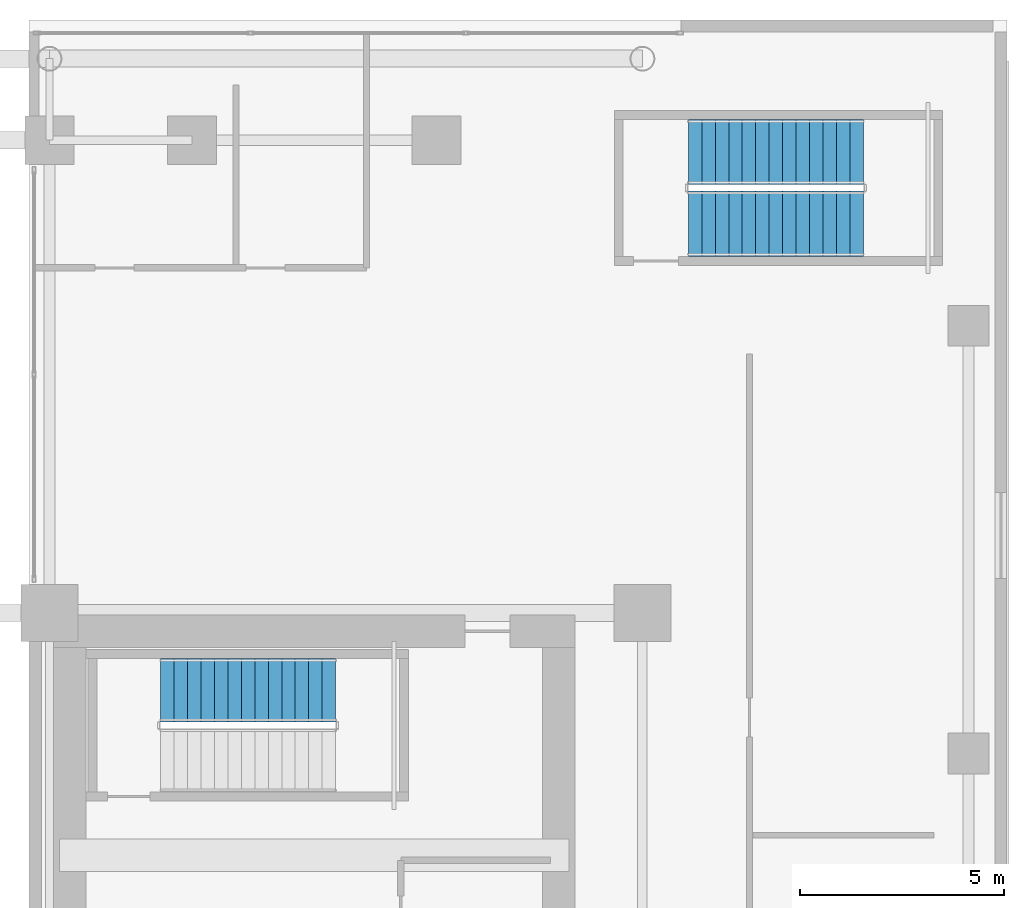
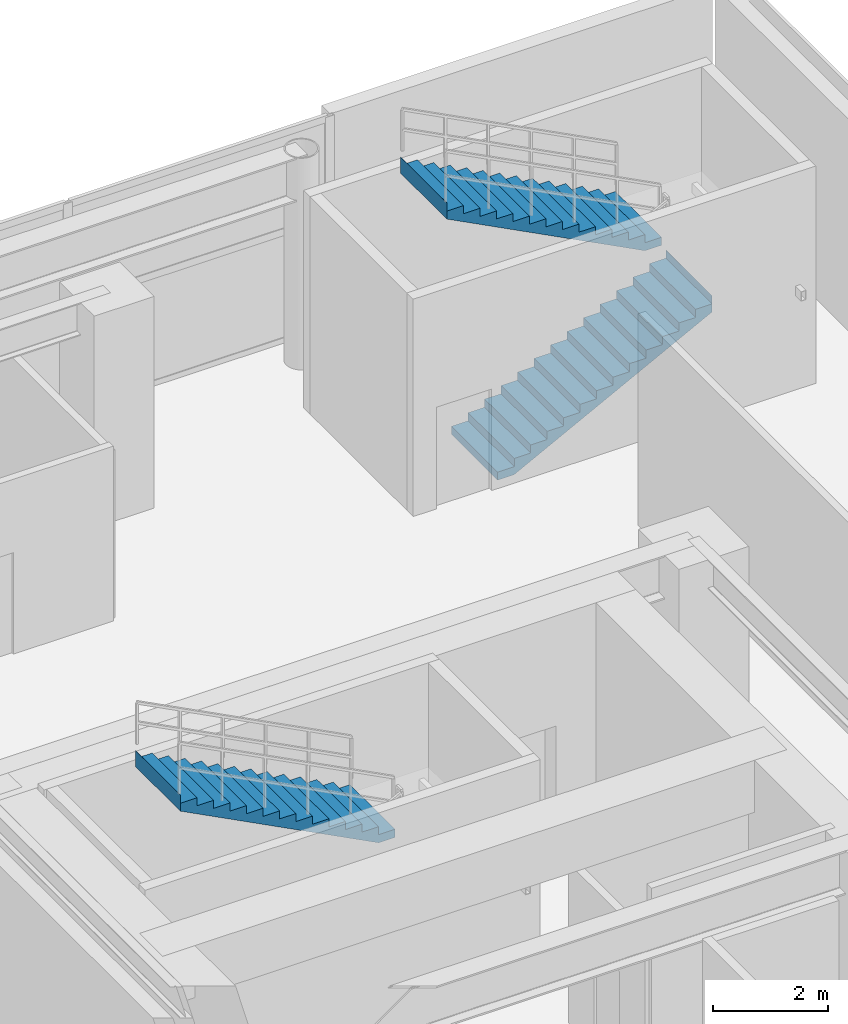
# One storey, part 25 of 30: 3 stair flights, 2 elements without a shape of their own.
"""IFC4 building model written with IfcOpenShell, lengths in metres."""

from ifc_helpers import new_model, si_unit, direction, frame, origin, place, context, subcontext, project, spatial, polyline, outline, extrude, source, transform, mapped, material, type_object, element, aggregate, save


model = new_model("IFC4")

# Units and contexts
model_context = context("Model", 3, precision=1e-05, world=origin(), true_north=direction((0.0, 1.0)))
body_context = subcontext(model_context, "Body", "Model", "MODEL_VIEW")
ifc_project = project(units=[si_unit("LENGTHUNIT", "METRE"), si_unit("AREAUNIT", "SQUARE_METRE"), si_unit("VOLUMEUNIT", "CUBIC_METRE"), si_unit("PLANEANGLEUNIT", "RADIAN"), si_unit("MASSUNIT", "GRAM", prefix="KILO")], contexts=[model_context])

# Site, building, storey
site_placement = place(None, origin())
site = spatial("IfcSite", under=ifc_project, at=site_placement, CompositionType="ELEMENT")
building_placement = place(site_placement, origin())
building = spatial("IfcBuilding", under=site, at=building_placement, Name="Ocotamira Hotel", CompositionType="ELEMENT")
storey_placement = place(building_placement, frame((0.0, 0.0, 19.199951171875)))
storey = spatial("IfcBuildingStorey", under=building, at=storey_placement, Name="L04", CompositionType="ELEMENT", Elevation=19.199951171875)

# Stair, stair flight
ifc_material = material(Name="Concrete C40/50", Category="concrete")
stair_type_1 = type_object("IfcStairType", Name="ST-CORE-1560", PredefinedType="HALF_TURN_STAIR", material=ifc_material)
stair_1_placement = place(storey_placement, origin())
stair_1 = element("IfcStair", 1, at=stair_1_placement, inside=storey, type_object=stair_type_1, Name="L04 Exit Stair ST-4", PredefinedType="HALF_TURN_STAIR")
stair_flight_type_1 = type_object("IfcStairFlightType", Name="STF-CORE-1560", PredefinedType="STRAIGHT", material=ifc_material)
shared_shape_1 = source(origin(), body_context, "Body", "SweptSolid", [
    extrude(outline(polyline([(-0.00390625, 0.0), (-0.00390625, 0.17138671875), (0.330078125, 0.17138671875), (0.330078125, 0.3427734375), (0.659912109375, 0.3427734375), (0.659912109375, 0.514404296875), (0.989990234375, 0.514404296875), (0.989990234375, 0.685791015625), (1.320068359375, 0.685791015625), (1.320068359375, 0.857177734375), (1.64990234375, 0.857177734375), (1.64990234375, 1.028564453125), (1.97998046875, 1.028564453125), (1.97998046875, 1.199951171875), (2.31005859375, 1.199951171875), (2.31005859375, 1.371337890625), (2.639892578125, 1.371337890625), (2.639892578125, 1.54296875), (2.969970703125, 1.54296875), (2.969970703125, 1.71435546875), (3.300048828125, 1.71435546875), (3.300048828125, 1.8857421875), (3.6298828125, 1.8857421875), (3.6298828125, 2.05712890625), (3.9599609375, 2.05712890625), (3.9599609375, 2.228515625), (4.2900390625, 2.228515625), (4.2900390625, 2.39990234375), (4.2939453125, 2.39990234375), (4.2939453125, 2.0595703125), (0.3251953125, 0.0), (-0.00390625, 0.0)])), frame((0.0, 0.780029296875, 0.0), z_axis=(0.0, -1.0, 0.0), x_axis=(1.0, 0.0, 0.0)), (0.0, 0.0, 1.0), 1.56005859375),
])
stair_flight_1_placement = place(storey_placement, frame((47.52001953125, 35.550048828125, 2.400146484375), z_axis=(0.0, 0.0, 1.0), x_axis=(-1.0, 0.0, 0.0)))
stair_flight_1 = element("IfcStairFlight", 2, at=stair_flight_1_placement, type_object=stair_flight_type_1, Name="ST-4 flight 2", NumberOfRisers=14, NumberOfTreads=13, PredefinedType="STRAIGHT", RiserHeight=0.171428571, TreadLength=0.33, context=body_context, shape_type="MappedRepresentation", body=[
    mapped(shared_shape_1, transform((0.0, 0.0, 0.0), scale=1.0)),
])
aggregate(stair_1, [stair_flight_1])

# Stair, stair flights
stair_type_2 = type_object("IfcStairType", Name="ST-POD-1600", PredefinedType="HALF_TURN_STAIR", material=ifc_material)
stair_2_placement = place(storey_placement, origin())
stair_2 = element("IfcStair", 3, at=stair_2_placement, inside=storey, type_object=stair_type_2, Name="L04 Exit Stair ST-6", PredefinedType="HALF_TURN_STAIR")
stair_flight_type_2 = type_object("IfcStairFlightType", Name="STF-POD-1600", PredefinedType="STRAIGHT", material=ifc_material)
shared_shape_2 = source(origin(), body_context, "Body", "SweptSolid", [
    extrude(outline(polyline([(-0.00390625, 0.0), (-0.00390625, 0.17138671875), (0.330078125, 0.17138671875), (0.330078125, 0.3427734375), (0.659912109375, 0.3427734375), (0.659912109375, 0.514404296875), (0.989990234375, 0.514404296875), (0.989990234375, 0.685791015625), (1.320068359375, 0.685791015625), (1.320068359375, 0.857177734375), (1.64990234375, 0.857177734375), (1.64990234375, 1.028564453125), (1.97998046875, 1.028564453125), (1.97998046875, 1.199951171875), (2.31005859375, 1.199951171875), (2.31005859375, 1.371337890625), (2.639892578125, 1.371337890625), (2.639892578125, 1.54296875), (2.969970703125, 1.54296875), (2.969970703125, 1.71435546875), (3.300048828125, 1.71435546875), (3.300048828125, 1.8857421875), (3.6298828125, 1.8857421875), (3.6298828125, 2.05712890625), (3.9599609375, 2.05712890625), (3.9599609375, 2.228515625), (4.2900390625, 2.228515625), (4.2900390625, 2.39990234375), (4.2939453125, 2.39990234375), (4.2939453125, 2.0595703125), (0.3251953125, 0.0), (-0.00390625, 0.0)])), frame((0.0, 0.800048828125, 0.0), z_axis=(0.0, -1.0, 0.0), x_axis=(1.0, 0.0, 0.0)), (0.0, 0.0, 1.0), 1.60009765625),
])
stair_flight_2_placement = place(storey_placement, frame((56.179931640625, 47.0, 0.0), z_axis=(0.0, 0.0, 1.0), x_axis=(1.0, 0.0, 0.0)))
stair_flight_2 = element("IfcStairFlight", 4, at=stair_flight_2_placement, type_object=stair_flight_type_2, Name="ST-6 flight 1", NumberOfRisers=14, NumberOfTreads=13, PredefinedType="STRAIGHT", RiserHeight=0.171428571, TreadLength=0.33, context=body_context, shape_type="MappedRepresentation", body=[
    mapped(shared_shape_2, transform((0.0, 0.0, 0.0), scale=1.0)),
])
stair_flight_3_placement = place(storey_placement, frame((60.469970703125, 48.760009765625, 2.400146484375), z_axis=(0.0, 0.0, 1.0), x_axis=(-1.0, 0.0, 0.0)))
stair_flight_3 = element("IfcStairFlight", 5, at=stair_flight_3_placement, type_object=stair_flight_type_2, Name="ST-6 flight 2", NumberOfRisers=14, NumberOfTreads=13, PredefinedType="STRAIGHT", RiserHeight=0.171428571, TreadLength=0.33, context=body_context, shape_type="MappedRepresentation", body=[
    mapped(shared_shape_2, transform((0.0, 0.0, 0.0), scale=1.0)),
])
aggregate(stair_2, [stair_flight_2, stair_flight_3])

save(model, "model.ifc")
